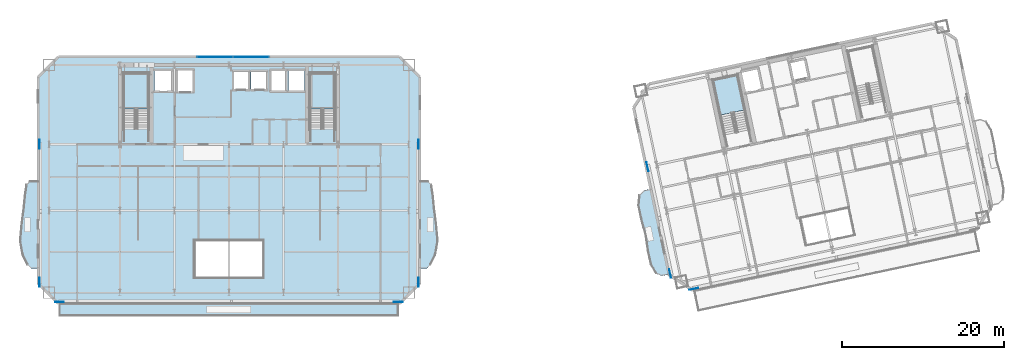
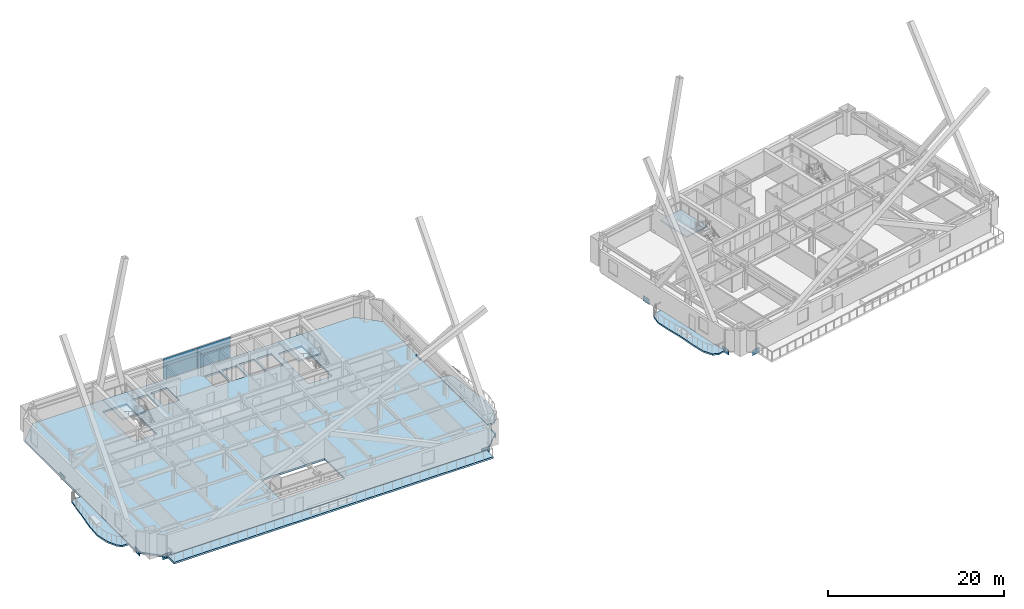
# One storey, part 10 of 22: 13 plates, 8 slabs, 4 elements without a shape of their own.
"""IFC4 building model written with IfcOpenShell, lengths in metres."""

from ifc_helpers import new_model, si_unit, direction, frame, origin, origin_2d, place, context, subcontext, project, spatial, polyline, rectangle, outline, extrude, material, layer, layer_set, type_object, element, aggregate, save


model = new_model("IFC4")

# Units and contexts
model_context = context("Model", 3, precision=1e-05, world=origin(), true_north=direction((0.0, 1.0)))
body_context = subcontext(model_context, "Body", "Model", "MODEL_VIEW")
ifc_project = project(units=[si_unit("LENGTHUNIT", "METRE"), si_unit("AREAUNIT", "SQUARE_METRE"), si_unit("VOLUMEUNIT", "CUBIC_METRE"), si_unit("PLANEANGLEUNIT", "RADIAN"), si_unit("MASSUNIT", "GRAM", prefix="KILO")], contexts=[model_context])

# Site, building, storey
site_placement = place(None, origin())
site = spatial("IfcSite", under=ifc_project, at=site_placement, CompositionType="ELEMENT")
building_placement = place(site_placement, origin())
building = spatial("IfcBuilding", under=site, at=building_placement, Name="Haevon Station Towers", CompositionType="ELEMENT")
storey_placement = place(building_placement, frame((0.0, 0.0, 93.300048828125)))
storey = spatial("IfcBuildingStorey", under=building, at=storey_placement, Name="L24", CompositionType="ELEMENT", Elevation=93.300048828125)

# Curtain wall, plates
ifc_material_1 = material(Name="Anodised aluminium and Low-E double glazing", Category="aluminium")
ifc_layer_1 = layer(ifc_material_1, 0.179931640625)
ifc_layer_set_1 = layer_set([ifc_layer_1], Name="Anodised aluminium and Low-E double glazing")
curtain_wall_type = type_object("IfcCurtainWallType", Name="CW-SYS4", PredefinedType="NOTDEFINED", material=ifc_layer_set_1)
curtain_wall_placement = place(storey_placement, origin())
curtain_wall = element("IfcCurtainWall", 1, at=curtain_wall_placement, inside=storey, type_object=curtain_wall_type, Name="L24 Curtain Wall CW-T1-L24-N", PredefinedType="NOTDEFINED")
ifc_material_2 = material(Name="Low-E double glazing", Category="glass")
ifc_layer_2 = layer(ifc_material_2, 0.028076171875)
ifc_layer_set_2 = layer_set([ifc_layer_2], Name="Low-E double glazing")
plate_type_1 = type_object("IfcPlateType", Name="CWP-GLZ28", PredefinedType="CURTAIN_PANEL", material=ifc_layer_set_2)
plate_1_placement = place(storey_placement, frame((35.766357421875, 49.0, 0.06005859375), z_axis=(0.0, 0.0, 1.0), x_axis=(1.0, 0.0, 0.0)))
plate_1 = element("IfcPlate", 2, at=plate_1_placement, type_object=plate_type_1, Name="CW-SYS4 panel 1.1", PredefinedType="CURTAIN_PANEL", context=body_context, shape_type="SweptSolid", body=[
    extrude(rectangle(XDim=4.402587890625, YDim=0.028076171875, at=origin_2d()), origin(), (0.0, 0.0, 1.0), 1.77001953125),
])
plate_2_placement = place(storey_placement, frame((35.766357421875, 49.0, 1.89013671875), z_axis=(0.0, 0.0, 1.0), x_axis=(1.0, 0.0, 0.0)))
plate_2 = element("IfcPlate", 3, at=plate_2_placement, type_object=plate_type_1, Name="CW-SYS4 panel 1.2", PredefinedType="CURTAIN_PANEL", context=body_context, shape_type="SweptSolid", body=[
    extrude(rectangle(XDim=4.402587890625, YDim=0.028076171875, at=origin_2d()), origin(), (0.0, 0.0, 1.0), 1.050048828125),
])
plate_3_placement = place(storey_placement, frame((40.233642578125, 49.0, 0.06005859375), z_axis=(0.0, 0.0, 1.0), x_axis=(1.0, 0.0, 0.0)))
plate_3 = element("IfcPlate", 4, at=plate_3_placement, type_object=plate_type_1, Name="CW-SYS4 panel 2.1", PredefinedType="CURTAIN_PANEL", context=body_context, shape_type="SweptSolid", body=[
    extrude(rectangle(XDim=4.402587890625, YDim=0.028076171875, at=origin_2d()), origin(), (0.0, 0.0, 1.0), 1.77001953125),
])
plate_4_placement = place(storey_placement, frame((40.233642578125, 49.0, 1.89013671875), z_axis=(0.0, 0.0, 1.0), x_axis=(1.0, 0.0, 0.0)))
plate_4 = element("IfcPlate", 5, at=plate_4_placement, type_object=plate_type_1, Name="CW-SYS4 panel 2.2", PredefinedType="CURTAIN_PANEL", context=body_context, shape_type="SweptSolid", body=[
    extrude(rectangle(XDim=4.402587890625, YDim=0.028076171875, at=origin_2d()), origin(), (0.0, 0.0, 1.0), 1.050048828125),
])
aggregate(curtain_wall, [plate_1, plate_2, plate_3, plate_4])

# Plates
ifc_material_3 = material(Name="PL-SPL1", Category="steel")
ifc_layer_3 = layer(ifc_material_3, 0.031982421875)
ifc_layer_set_3 = layer_set([ifc_layer_3], Name="PL-SPL1")
plate_type_2 = type_object("IfcPlateType", Name="PL-SPL1", PredefinedType="USERDEFINED", material=ifc_layer_set_3)
for number, where, z_axis, x_axis, name in (
    (6, (16.550048828125, 18.679931640625, -0.4951171875), (0.0, 0.0, 1.0), (1.0, 0.0, 0.0), "PL-T1SPL-T03-S-1"),
    (7, (58.449951171875, 18.679931640625, -0.4951171875), (0.0, 0.0, 1.0), (1.0, 0.0, 0.0), "PL-T1SPL-T03-S-2"),
    (8, (14.080078125, 21.14990234375, -0.4951171875), (0.0, 0.0, 1.0), (0.0, 1.0, 0.0), "PL-T1SPL-T03-W-1"),
    (9, (14.080078125, 38.199951171875, -0.4951171875), (0.0, 0.0, 1.0), (0.0, 1.0, 0.0), "PL-T1SPL-T03-W-2"),
    (10, (60.919921875, 21.14990234375, -0.4951171875), (0.0, 0.0, 1.0), (0.0, 1.0, 0.0), "PL-T1SPL-T03-E-1"),
    (11, (60.919921875, 38.199951171875, -0.4951171875), (0.0, 0.0, 1.0), (0.0, 1.0, 0.0), "PL-T1SPL-T03-E-2"),
    (12, (94.981201171875, 20.31396484375, -0.4951171875), (0.0, 0.0, 1.0), (0.978147600734, 0.207911690818, 0.0), "PL-T2SPL-T03-S-1"),
    (13, (92.051513671875, 22.216552734375, -0.4951171875), (0.0, 0.0, 1.0), (-0.207911690818, 0.978147600734, 0.0), "PL-T2SPL-T03-W-1"),
    (14, (89.244873046875, 35.421630859375, -0.4951171875), (0.0, 0.0, 1.0), (-0.207911690818, 0.978147600734, 0.0), "PL-T2SPL-T03-W-2"),
):
    element("IfcPlate", number, at=place(storey_placement, frame(where, z_axis=z_axis, x_axis=x_axis)), inside=storey, type_object=plate_type_2, Name=name, ObjectType="SPLICE_PLATE", PredefinedType="USERDEFINED", context=body_context, shape_type="SweptSolid", body=[
        extrude(rectangle(XDim=1.10009765625, YDim=0.031982421875, at=origin_2d()), origin(), (0.0, 0.0, 1.0), 0.75),
    ])

# Slabs
ifc_material_4 = material(Name="Concrete C40/50", Category="concrete")
ifc_layer_4 = layer(ifc_material_4, 0.219970703125)
ifc_layer_set_4 = layer_set([ifc_layer_4], Name="Concrete C40/50")
slab_type_1 = type_object("IfcSlabType", Name="SL-BALC220", PredefinedType="FLOOR", material=ifc_layer_set_4)
slab_1_placement = place(storey_placement, frame((0.0, 0.0, -0.219970703125)))
element("IfcSlab", 15, at=slab_1_placement, inside=storey, type_object=slab_type_1, Name="Tower 1 L24 West SCALLOPED BALCONY", PredefinedType="FLOOR", context=body_context, shape_type="SweptSolid", body=[
    extrude(outline(polyline([(13.89501953125, 33.64990234375), (12.906494140625, 33.64990234375), (12.484619140625, 33.239013671875), (12.30078125, 32.068359375), (12.11181640625, 30.31640625), (11.794921875, 28.25), (11.66357421875, 26.18359375), (12.002685546875, 24.431640625), (12.609130859375, 23.260986328125), (13.044921875, 22.85009765625), (13.89501953125, 22.85009765625), (13.89501953125, 33.64990234375)])), origin(), (0.0, 0.0, 1.0), 0.219970703125),
])
slab_2_placement = place(storey_placement, frame((0.0, 0.0, -0.219970703125)))
element("IfcSlab", 16, at=slab_2_placement, inside=storey, type_object=slab_type_1, Name="Tower 1 L24 East SCALLOPED BALCONY", PredefinedType="FLOOR", context=body_context, shape_type="SweptSolid", body=[
    extrude(outline(polyline([(61.10498046875, 22.85009765625), (61.955078125, 22.85009765625), (62.390869140625, 23.260986328125), (62.997314453125, 24.431640625), (63.33642578125, 26.18359375), (63.205078125, 28.25), (62.88818359375, 30.31640625), (62.69921875, 32.068359375), (62.515380859375, 33.239013671875), (62.093505859375, 33.64990234375), (61.10498046875, 33.64990234375), (61.10498046875, 22.85009765625)])), origin(), (0.0, 0.0, 1.0), 0.219970703125),
])
slab_3_placement = place(storey_placement, frame((0.0, 0.0, -0.219970703125)))
element("IfcSlab", 17, at=slab_3_placement, inside=storey, type_object=slab_type_1, Name="Tower 2 L24 West SCALLOPED BALCONY", PredefinedType="FLOOR", context=body_context, shape_type="SweptSolid", body=[
    extrude(outline(polyline([(89.640869140625, 32.668701171875), (88.778076171875, 32.4853515625), (88.26025390625, 31.955078125), (88.11865234375, 30.728271484375), (88.461181640625, 29.010009765625), (88.95751953125, 27.0029296875), (89.320556640625, 24.96728515625), (89.70654296875, 23.25830078125), (90.3349609375, 22.195068359375), (91.0234375, 21.92138671875), (91.88623046875, 22.104736328125), (89.640869140625, 32.668701171875)])), origin(), (0.0, 0.0, 1.0), 0.219970703125),
])

# Stair, slab
stair_type = type_object("IfcStairType", Name="STR-DL1450", PredefinedType="USERDEFINED", material=ifc_material_4)
stair_1_placement = place(storey_placement, origin())
stair_1 = element("IfcStair", 18, at=stair_1_placement, inside=storey, type_object=stair_type, Name="L24 Escape Stair ST1", ObjectType="TWO_RETURN_STAIR", PredefinedType="USERDEFINED")
ifc_layer_5 = layer(ifc_material_4, 0.199951171875)
ifc_layer_set_5 = layer_set([ifc_layer_5], Name="Concrete C40/50")
slab_type_2 = type_object("IfcSlabType", Name="SL-LND200", PredefinedType="LANDING", material=ifc_layer_set_5)
slab_4_placement = place(storey_placement, frame((0.0, 0.0, 1.449951171875)))
slab_4 = element("IfcSlab", 19, at=slab_4_placement, type_object=slab_type_2, Name="L24 ST1 Half Landing 1", PredefinedType="LANDING", context=body_context, shape_type="SweptSolid", body=[
    extrude(outline(polyline([(27.580078125, 42.56396484375), (27.580078125, 47.0), (24.47998046875, 47.0), (24.47998046875, 42.56396484375), (27.580078125, 42.56396484375)])), origin(), (0.0, 0.0, 1.0), 0.199951171875),
])
aggregate(stair_1, [slab_4])

stair_2_placement = place(storey_placement, origin())
stair_2 = element("IfcStair", 20, at=stair_2_placement, inside=storey, type_object=stair_type, Name="L24 Escape Stair ST2", ObjectType="TWO_RETURN_STAIR", PredefinedType="USERDEFINED")
slab_5_placement = place(storey_placement, frame((0.0, 0.0, 1.449951171875)))
slab_5 = element("IfcSlab", 21, at=slab_5_placement, type_object=slab_type_2, Name="L24 ST2 Half Landing 1", PredefinedType="LANDING", context=body_context, shape_type="SweptSolid", body=[
    extrude(outline(polyline([(50.6201171875, 42.56396484375), (50.6201171875, 47.0), (47.52001953125, 47.0), (47.52001953125, 42.56396484375), (50.6201171875, 42.56396484375)])), origin(), (0.0, 0.0, 1.0), 0.199951171875),
])
aggregate(stair_2, [slab_5])

stair_3_placement = place(storey_placement, origin())
stair_3 = element("IfcStair", 22, at=stair_3_placement, inside=storey, type_object=stair_type, Name="L24 Escape Stair ST3", ObjectType="TWO_RETURN_STAIR", PredefinedType="USERDEFINED")
slab_6_placement = place(storey_placement, frame((0.0, 0.0, 1.449951171875)))
slab_6 = element("IfcSlab", 23, at=slab_6_placement, type_object=slab_type_2, Name="L24 ST3 Half Landing 1", PredefinedType="LANDING", context=body_context, shape_type="SweptSolid", body=[
    extrude(outline(polyline([(101.2880859375, 42.44287109375), (100.36572265625, 46.781982421875), (97.33349609375, 46.137451171875), (98.255859375, 41.79833984375), (101.2880859375, 42.44287109375)])), origin(), (0.0, 0.0, 1.0), 0.199951171875),
])
aggregate(stair_3, [slab_6])

# Slabs
ifc_layer_6 = layer(ifc_material_4, 0.25)
ifc_layer_set_6 = layer_set([ifc_layer_6], Name="Concrete C40/50")
slab_type_3 = type_object("IfcSlabType", Name="SL-TERR250", PredefinedType="FLOOR", material=ifc_layer_set_6)
slab_7_placement = place(storey_placement, frame((0.0, 0.0, -0.25)))
element("IfcSlab", 24, at=slab_7_placement, inside=storey, type_object=slab_type_3, Name="Tower 1 L24 Sky Garden Terrace", PredefinedType="FLOOR", context=body_context, shape_type="SweptSolid", body=[
    extrude(outline(polyline([(16.5, 17.0), (58.5, 17.0), (58.5, 18.4951171875), (16.5, 18.4951171875), (16.5, 17.0)])), origin(), (0.0, 0.0, 1.0), 0.25),
])
ifc_layer_7 = layer(ifc_material_4, 0.25)
ifc_layer_set_7 = layer_set([ifc_layer_7], Name="Concrete C40/50")
slab_type_4 = type_object("IfcSlabType", Name="SL-TW250", PredefinedType="FLOOR", material=ifc_layer_set_7)
slab_8_placement = place(storey_placement, frame((0.0, 0.0, -0.25)))
element("IfcSlab", 25, at=slab_8_placement, inside=storey, type_object=slab_type_4, Name="SL-T1-L24", PredefinedType="FLOOR", context=body_context, shape_type="SweptSolid", body=[
    extrude(outline(polyline([(16.39990234375, 18.5), (58.60009765625, 18.5), (61.10009765625, 21.0), (61.10009765625, 46.5), (58.60009765625, 49.0), (16.39990234375, 49.0), (13.89990234375, 46.5), (13.89990234375, 21.0), (16.39990234375, 18.5)]), holes=[polyline([(27.580078125, 40.055908203125), (27.580078125, 47.0), (24.47998046875, 47.0), (24.47998046875, 40.055908203125), (27.580078125, 40.055908203125)]), polyline([(50.6201171875, 40.055908203125), (50.6201171875, 47.0), (47.52001953125, 47.0), (47.52001953125, 40.055908203125), (50.6201171875, 40.055908203125)]), polyline([(28.300048828125, 44.699951171875), (30.5, 44.699951171875), (30.5, 47.39990234375), (28.300048828125, 47.39990234375), (28.300048828125, 44.699951171875)]), polyline([(31.050048828125, 44.60009765625), (33.14990234375, 44.60009765625), (33.14990234375, 47.5), (31.050048828125, 47.5), (31.050048828125, 44.60009765625)]), polyline([(38.0, 44.89990234375), (40.0, 44.89990234375), (40.0, 47.300048828125), (38.0, 47.300048828125), (38.0, 44.89990234375)]), polyline([(40.25, 44.89990234375), (42.25, 44.89990234375), (42.25, 47.300048828125), (40.25, 47.300048828125), (40.25, 44.89990234375)]), polyline([(42.60009765625, 44.699951171875), (44.60009765625, 44.699951171875), (44.60009765625, 47.39990234375), (42.60009765625, 47.39990234375), (42.60009765625, 44.699951171875)]), polyline([(44.85009765625, 44.699951171875), (46.85009765625, 44.699951171875), (46.85009765625, 47.39990234375), (44.85009765625, 47.39990234375), (44.85009765625, 44.699951171875)]), polyline([(33.300048828125, 21.699951171875), (41.699951171875, 21.699951171875), (41.699951171875, 26.300048828125), (33.300048828125, 26.300048828125), (33.300048828125, 21.699951171875)])]), origin(), (0.0, 0.0, 1.0), 0.25),
])

save(model, "model.ifc")
